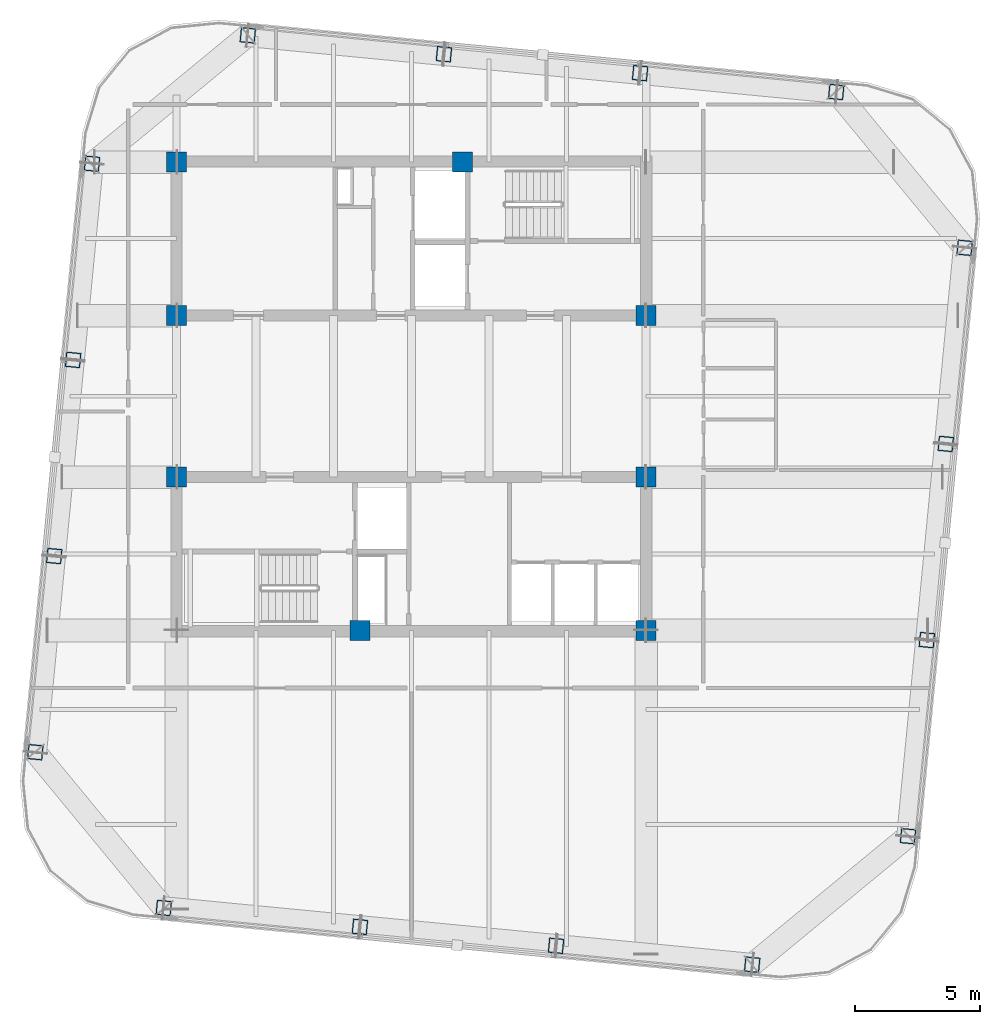
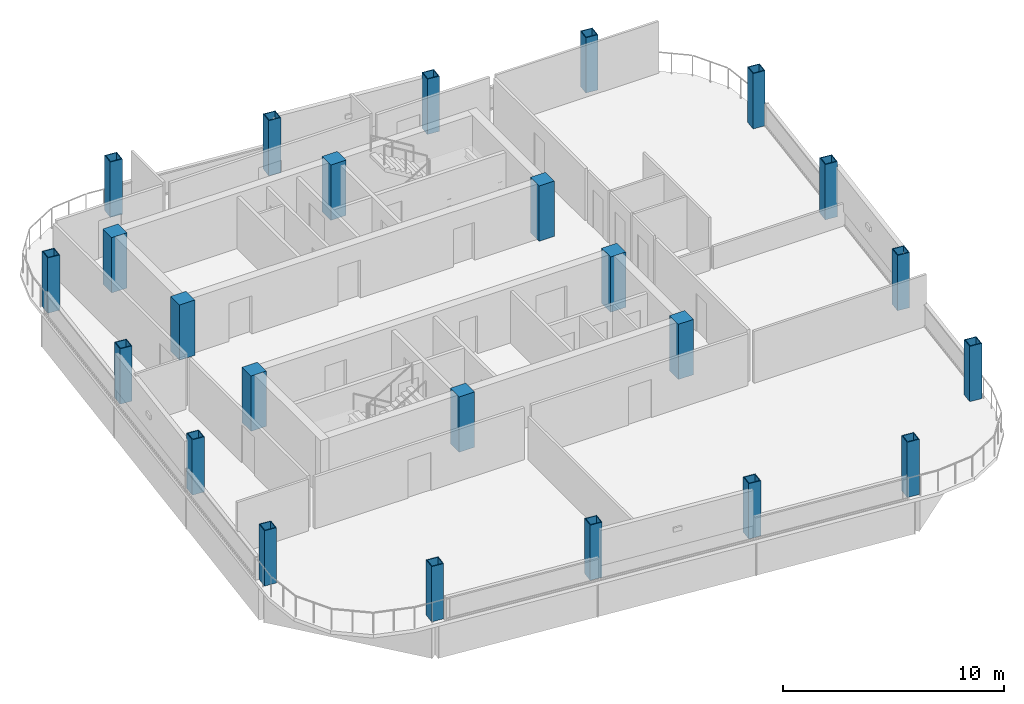
# One storey, part 1 of 21: 24 columns.
"""IFC4 building model written with IfcOpenShell, lengths in metres."""

from ifc_helpers import new_model, si_unit, direction, frame, origin, origin_2d, place, context, subcontext, project, spatial, rectangle, hollow_rectangle, extrude, material, material_profile, profile_set, type_object, element, save


model = new_model("IFC4")

# Units and contexts
model_context = context("Model", 3, precision=1e-05, world=origin(), true_north=direction((0.0, 1.0)))
body_context = subcontext(model_context, "Body", "Model", "MODEL_VIEW")
ifc_project = project(units=[si_unit("LENGTHUNIT", "METRE"), si_unit("AREAUNIT", "SQUARE_METRE"), si_unit("VOLUMEUNIT", "CUBIC_METRE"), si_unit("PLANEANGLEUNIT", "RADIAN"), si_unit("MASSUNIT", "GRAM", prefix="KILO")], contexts=[model_context])

# Site, building, storey
site_placement = place(None, origin())
site = spatial("IfcSite", under=ifc_project, at=site_placement, CompositionType="ELEMENT")
building_placement = place(site_placement, origin())
building = spatial("IfcBuilding", under=site, at=building_placement, Name="Qhalaya Broadcast Tower", CompositionType="ELEMENT")
storey_placement = place(building_placement, frame((0.0, 0.0, 270.300048828125)))
storey = spatial("IfcBuildingStorey", under=building, at=storey_placement, Name="L80", CompositionType="ELEMENT", Elevation=270.300048828125)

# Columns
ifc_material_1 = material(Name="Concrete C50/60", Category="concrete")
ifc_material_profile_1 = material_profile(ifc_material_1, rectangle(XDim=0.800048828125, YDim=0.800048828125, at=origin_2d()), Name="RC-COL 800x800")
ifc_profile_set_1 = profile_set([ifc_material_profile_1], Name="Concrete C50/60")
column_type_1 = type_object("IfcColumnType", Name="RC Upper Column C10", PredefinedType="COLUMN", material=ifc_profile_set_1)
for number, where, z_axis, x_axis, name in (
    (1, (-9.375, 9.949951171875, 0.0), (0.0, 0.0, 1.0), (1.0, 0.0, 0.0), "L80 Column COL-CC1"),
    (2, (2.050048828125, 9.949951171875, 0.0), (0.0, 0.0, 1.0), (1.0, 0.0, 0.0), "L80 Column COL-CC2"),
    (3, (-9.375, 3.824951171875, 0.0), (0.0, 0.0, 1.0), (1.0, 0.0, 0.0), "L80 Column COL-CC3"),
    (4, (9.375, 3.824951171875, 0.0), (0.0, 0.0, 1.0), (1.0, 0.0, 0.0), "L80 Column COL-CC4"),
    (5, (-9.375, -2.625, 0.0), (0.0, 0.0, 1.0), (1.0, 0.0, 0.0), "L80 Column COL-CC5"),
    (6, (9.375, -2.625, 0.0), (0.0, 0.0, 1.0), (1.0, 0.0, 0.0), "L80 Column COL-CC6"),
    (7, (-2.050048828125, -8.75, 0.0), (0.0, 0.0, 1.0), (1.0, 0.0, 0.0), "L80 Column COL-CC7"),
    (8, (9.375, -8.75, 0.0), (0.0, 0.0, 1.0), (1.0, 0.0, 0.0), "L80 Column COL-CC8"),
):
    element("IfcColumn", number, at=place(storey_placement, frame(where, z_axis=z_axis, x_axis=x_axis)), inside=storey, type_object=column_type_1, Name=name, PredefinedType="COLUMN", context=body_context, shape_type="SweptSolid", body=[
        extrude(rectangle(XDim=0.800048828125, YDim=0.800048828125, at=origin_2d()), origin(), (0.0, 0.0, 1.0), 3.050048828125),
    ])
ifc_material_2 = material(Name="Structural Steel ASTM A572 Grade 50", Category="steel")
ifc_material_profile_2 = material_profile(ifc_material_2, hollow_rectangle(XDim=0.60009765625, YDim=0.60009765625, WallThickness=0.0400390625, at=origin_2d()), Name="BOX 600x600x40")
ifc_profile_set_2 = profile_set([ifc_material_profile_2], Name="Structural Steel ASTM A572 Grade 50")
column_type_2 = type_object("IfcColumnType", Name="Steel Box Column C05", PredefinedType="COLUMN", material=ifc_profile_set_2)
for number, where, z_axis, x_axis, name in (
    (9, (-9.883056640625, -19.82861328125, 0.0), (0.0, 0.0, 1.0), (0.995396198367, -0.09584575252, 0.0), "L80 Column COL-EX01"),
    (10, (-2.052490234375, -20.58251953125, 0.0), (0.0, 0.0, 1.0), (0.995396198367, -0.09584575252, 0.0), "L80 Column COL-EX02"),
    (11, (5.77783203125, -21.33642578125, 0.0), (0.0, 0.0, 1.0), (0.995396198367, -0.09584575252, 0.0), "L80 Column COL-EX03"),
    (12, (13.6083984375, -22.09033203125, 0.0), (0.0, 0.0, 1.0), (0.995396198367, -0.09584575252, 0.0), "L80 Column COL-EX04"),
    (13, (19.82861328125, -16.962890625, 0.0), (0.0, 0.0, 1.0), (0.09584575252, 0.995396198367, 0.0), "L80 Column COL-EX05"),
    (14, (20.58251953125, -9.132568359375, 0.0), (0.0, 0.0, 1.0), (0.09584575252, 0.995396198367, 0.0), "L80 Column COL-EX06"),
    (15, (21.33642578125, -1.302001953125, 0.0), (0.0, 0.0, 1.0), (0.09584575252, 0.995396198367, 0.0), "L80 Column COL-EX07"),
    (16, (22.09033203125, 6.5283203125, 0.0), (0.0, 0.0, 1.0), (0.09584575252, 0.995396198367, 0.0), "L80 Column COL-EX08"),
    (17, (16.962890625, 12.74853515625, 0.0), (0.0, 0.0, 1.0), (0.995396198367, -0.09584575252, 0.0), "L80 Column COL-EX09"),
    (18, (9.132568359375, 13.50244140625, 0.0), (0.0, 0.0, 1.0), (0.995396198367, -0.09584575252, 0.0), "L80 Column COL-EX10"),
    (19, (1.302001953125, 14.25634765625, 0.0), (0.0, 0.0, 1.0), (0.995396198367, -0.09584575252, 0.0), "L80 Column COL-EX11"),
    (20, (-6.5283203125, 15.010498046875, 0.0), (0.0, 0.0, 1.0), (0.995396198367, -0.09584575252, 0.0), "L80 Column COL-EX12"),
    (21, (-12.74853515625, 9.883056640625, 0.0), (0.0, 0.0, 1.0), (0.09584575252, 0.995396198367, 0.0), "L80 Column COL-EX13"),
    (22, (-13.50244140625, 2.052490234375, 0.0), (0.0, 0.0, 1.0), (0.09584575252, 0.995396198367, 0.0), "L80 Column COL-EX14"),
    (23, (-14.25634765625, -5.77783203125, 0.0), (0.0, 0.0, 1.0), (0.09584575252, 0.995396198367, 0.0), "L80 Column COL-EX15"),
    (24, (-15.010498046875, -13.6083984375, 0.0), (0.0, 0.0, 1.0), (0.09584575252, 0.995396198367, 0.0), "L80 Column COL-EX16"),
):
    element("IfcColumn", number, at=place(storey_placement, frame(where, z_axis=z_axis, x_axis=x_axis)), inside=storey, type_object=column_type_2, Name=name, PredefinedType="COLUMN", context=body_context, shape_type="SweptSolid", body=[
        extrude(hollow_rectangle(XDim=0.60009765625, YDim=0.60009765625, WallThickness=0.0400390625, at=origin_2d()), origin(), (0.0, 0.0, 1.0), 3.050048828125),
    ])

save(model, "model.ifc")
